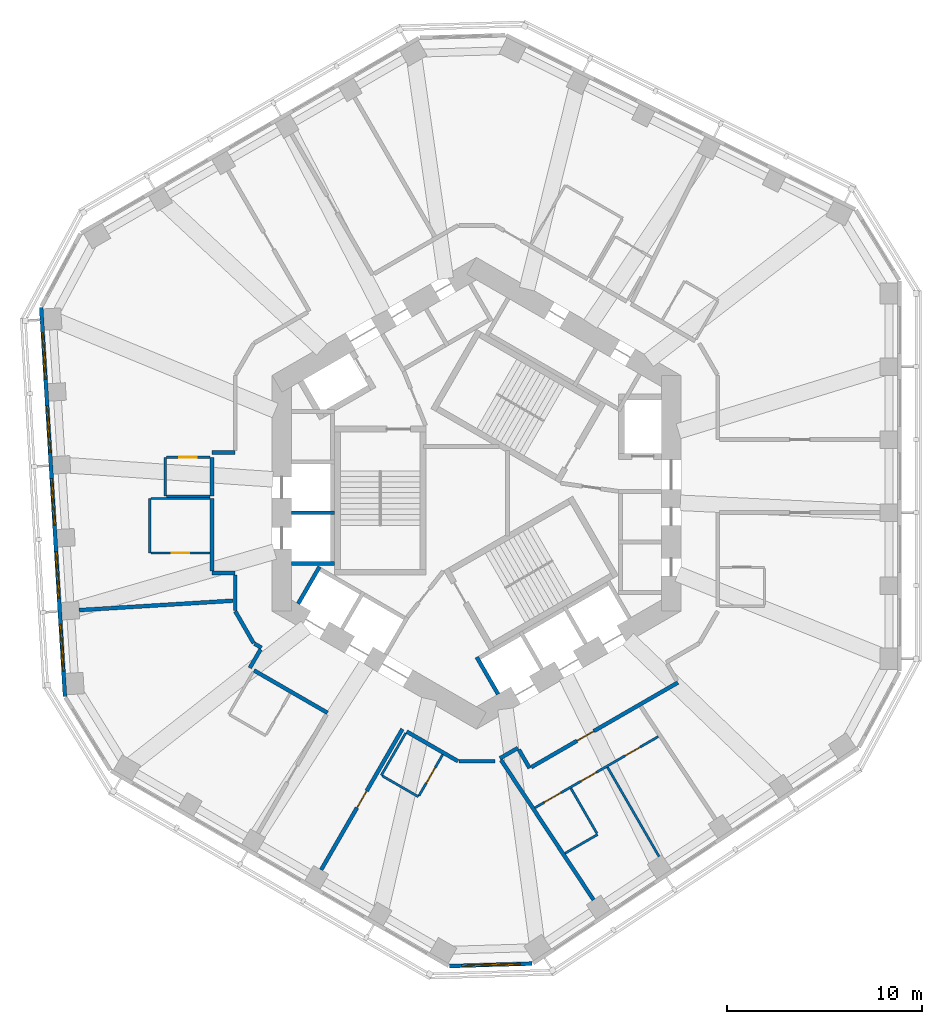
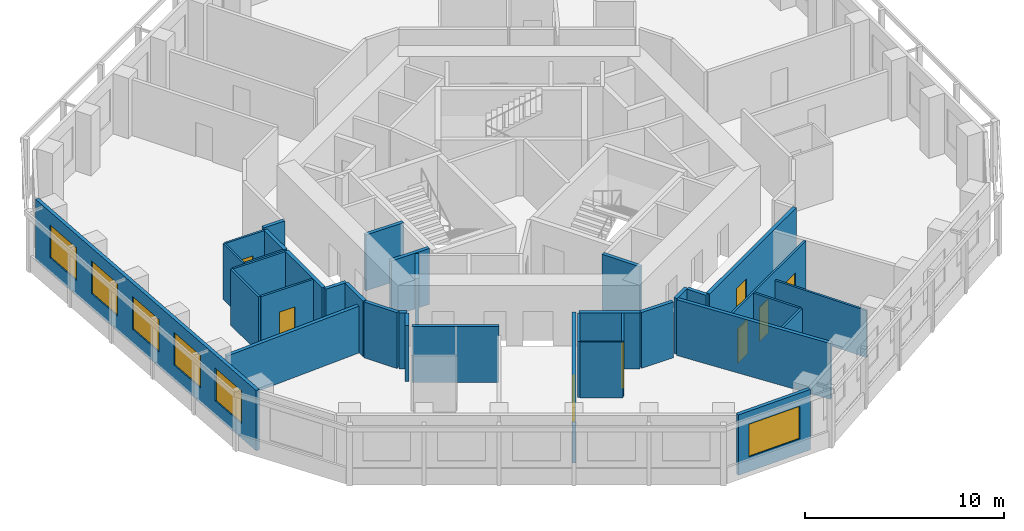
# One storey, part 4 of 11: 36 walls, 8 doors, 6 windows, 14 openings.
"""IFC4 building model written with IfcOpenShell, lengths in metres."""

from ifc_helpers import new_model, si_unit, direction, frame, frame_2d, origin, place, context, subcontext, project, spatial, rectangle, extrude, material, layer, layer_set, type_object, element, fill, save


model = new_model("IFC4")

# Units and contexts
model_context = context("Model", 3, precision=1e-05, world=origin(), true_north=direction((0.0, 1.0)))
body_context = subcontext(model_context, "Body", "Model", "MODEL_VIEW")
ifc_project = project(units=[si_unit("LENGTHUNIT", "METRE"), si_unit("AREAUNIT", "SQUARE_METRE"), si_unit("VOLUMEUNIT", "CUBIC_METRE"), si_unit("PLANEANGLEUNIT", "RADIAN"), si_unit("MASSUNIT", "GRAM", prefix="KILO")], contexts=[model_context])

# Site, building, storey
site_placement = place(None, origin())
site = spatial("IfcSite", under=ifc_project, at=site_placement, CompositionType="ELEMENT")
building_placement = place(site_placement, origin())
building = spatial("IfcBuilding", under=site, at=building_placement, Name="Vanh Sen Convention Tower", CompositionType="ELEMENT")
storey_placement = place(building_placement, frame((0.0, 0.0, 198.39990234375)))
storey = spatial("IfcBuildingStorey", under=building, at=storey_placement, Name="L49", CompositionType="ELEMENT", Elevation=198.39990234375)

# Walls
ifc_material_1 = material(Name="Moisture-resistant gypsum board on steel studs", Category="steel")
ifc_layer_1 = layer(ifc_material_1, 0.1201171875)
ifc_layer_set_1 = layer_set([ifc_layer_1], Name="Moisture-resistant gypsum board on steel studs")
wall_type_1 = type_object("IfcWallType", Name="Bathroom partition 120", PredefinedType="PARTITIONING", material=ifc_layer_set_1)
wall_1_placement = place(storey_placement, frame((-16.801025390625, -3.069091796875, 0.0), z_axis=(0.0, 0.0, 1.0), x_axis=(0.0, 1.0, 0.0)))
element("IfcWall", 1, at=wall_1_placement, inside=storey, type_object=wall_type_1, Name="Bathroom partition 120", PredefinedType="PARTITIONING", context=body_context, shape_type="SweptSolid", body=[
    extrude(rectangle(XDim=2.800048828125, YDim=0.1201171875, at=frame_2d((1.39990234375, 0.0))), origin(), (0.0, 0.0, 1.0), 3.420166015625),
])
wall_2_placement = place(storey_placement, frame((-16.740966796875, -0.26904296875, 0.0), z_axis=(0.0, 0.0, 1.0), x_axis=(1.0, 0.0, 0.0)))
element("IfcWall", 2, at=wall_2_placement, inside=storey, type_object=wall_type_1, Name="Bathroom partition 120", PredefinedType="PARTITIONING", context=body_context, shape_type="SweptSolid", body=[
    extrude(rectangle(XDim=3.0400390625, YDim=0.1201171875, at=frame_2d((1.52001953125, 0.0))), origin(), (0.0, 0.0, 1.0), 3.420166015625),
])
wall_3_placement = place(storey_placement, frame((-16.0009765625, -0.14892578125, 0.0), z_axis=(0.0, 0.0, 1.0), x_axis=(0.0, 1.0, 0.0)))
element("IfcWall", 3, at=wall_3_placement, inside=storey, type_object=wall_type_1, Name="Bathroom partition 120", PredefinedType="PARTITIONING", context=body_context, shape_type="SweptSolid", body=[
    extrude(rectangle(XDim=2.0, YDim=0.1201171875, at=frame_2d((1.0, 0.0))), origin(), (0.0, 0.0, 1.0), 3.420166015625),
])

# Wall, opening, door
wall_4_placement = place(storey_placement, frame((-15.94091796875, 1.85107421875, 0.0), z_axis=(0.0, 0.0, 1.0), x_axis=(1.0, 0.0, 0.0)))
wall_4 = element("IfcWall", 4, at=wall_4_placement, inside=storey, type_object=wall_type_1, Name="Bathroom partition 120", PredefinedType="PARTITIONING", context=body_context, shape_type="SweptSolid", body=[
    extrude(rectangle(XDim=2.239990234375, YDim=0.1201171875, at=frame_2d((1.1201171875, 0.0))), origin(), (0.0, 0.0, 1.0), 3.420166015625),
])
opening_1_placement = place(wall_4_placement, frame((0.669921875, 0.0, 0.0)))
opening_1 = element("IfcOpeningElement", 5, at=opening_1_placement, cuts=wall_4, Name="Opening D49108", PredefinedType="OPENING", context=body_context, shape_type="SweptSolid", body=[
    extrude(rectangle(XDim=0.89990234375, YDim=2.10009765625, at=frame_2d((0.449951171875, 1.050048828125))), frame((0.0, 0.070068359375, 0.0), z_axis=(0.0, -1.0, 0.0), x_axis=(1.0, 0.0, 0.0)), (0.0, 0.0, 1.0), 0.14013671875),
])
ifc_material_2 = material(Name="Laminate door in steel frame", Category="steel")
door_type_1 = type_object("IfcDoorType", Name="Room internal door 900", OperationType="SINGLE_SWING_LEFT", PredefinedType="DOOR", material=ifc_material_2)
door_1_placement = place(opening_1_placement, origin())
door_1 = element("IfcDoor", 6, at=door_1_placement, inside=storey, type_object=door_type_1, Name="Internal room door D49108", OperationType="SINGLE_SWING_LEFT", OverallHeight=2.10009765625, OverallWidth=0.89990234375, PredefinedType="DOOR", context=body_context, shape_type="SweptSolid", body=[
    extrude(rectangle(XDim=0.89990234375, YDim=2.10009765625, at=frame_2d((0.449951171875, 1.050048828125))), frame((0.0, 0.02490234375, 0.0), z_axis=(0.0, -1.0, 0.0), x_axis=(1.0, 0.0, 0.0)), (0.0, 0.0, 1.0), 0.050048828125),
])
fill(opening_1, door_1)

wall_5_placement = place(storey_placement, frame((-13.700927734375, -3.069091796875, 0.0), z_axis=(0.0, 0.0, 1.0), x_axis=(-1.0, 0.0, 0.0)))
wall_5 = element("IfcWall", 7, at=wall_5_placement, inside=storey, type_object=wall_type_1, Name="Bathroom partition 120", PredefinedType="PARTITIONING", context=body_context, shape_type="SweptSolid", body=[
    extrude(rectangle(XDim=3.0400390625, YDim=0.1201171875, at=frame_2d((1.52001953125, 0.0))), origin(), (0.0, 0.0, 1.0), 3.420166015625),
])
opening_2_placement = place(wall_5_placement, frame((1.070068359375, 0.0, 0.0)))
opening_2 = element("IfcOpeningElement", 8, at=opening_2_placement, cuts=wall_5, Name="Opening D49109", PredefinedType="OPENING", context=body_context, shape_type="SweptSolid", body=[
    extrude(rectangle(XDim=0.89990234375, YDim=2.10009765625, at=frame_2d((0.449951171875, 1.050048828125))), frame((0.0, 0.070068359375, 0.0), z_axis=(0.0, -1.0, 0.0), x_axis=(1.0, 0.0, 0.0)), (0.0, 0.0, 1.0), 0.14013671875),
])
door_2_placement = place(opening_2_placement, origin())
door_2 = element("IfcDoor", 9, at=door_2_placement, inside=storey, type_object=door_type_1, Name="Internal room door D49109", OperationType="SINGLE_SWING_LEFT", OverallHeight=2.10009765625, OverallWidth=0.89990234375, PredefinedType="DOOR", context=body_context, shape_type="SweptSolid", body=[
    extrude(rectangle(XDim=0.89990234375, YDim=2.10009765625, at=frame_2d((0.449951171875, 1.050048828125))), frame((0.0, 0.02490234375, 0.0), z_axis=(0.0, -1.0, 0.0), x_axis=(1.0, 0.0, 0.0)), (0.0, 0.0, 1.0), 0.050048828125),
])
fill(opening_2, door_2)

# Walls
wall_6_placement = place(storey_placement, frame((-13.700927734375, -0.14892578125, 0.0), z_axis=(0.0, 0.0, 1.0), x_axis=(-1.0, 0.0, 0.0)))
element("IfcWall", 10, at=wall_6_placement, inside=storey, type_object=wall_type_1, Name="Bathroom partition 120", PredefinedType="PARTITIONING", context=body_context, shape_type="SweptSolid", body=[
    extrude(rectangle(XDim=2.239990234375, YDim=0.1201171875, at=frame_2d((1.1201171875, 0.0))), origin(), (0.0, 0.0, 1.0), 3.420166015625),
])
wall_7_placement = place(storey_placement, frame((-4.89208984375, -14.49609375, 0.0), z_axis=(0.0, 0.0, 1.0), x_axis=(0.500004234368, 0.866022959057, 0.0)))
element("IfcWall", 11, at=wall_7_placement, inside=storey, type_object=wall_type_1, Name="Bathroom partition 120", PredefinedType="PARTITIONING", context=body_context, shape_type="SweptSolid", body=[
    extrude(rectangle(XDim=2.5, YDim=0.1201171875, at=frame_2d((1.25, 0.0))), origin(), (0.0, 0.0, 1.0), 3.420166015625),
])
wall_8_placement = place(storey_placement, frame((-2.98681640625, -15.59619140625, 0.0), z_axis=(0.0, 0.0, 1.0), x_axis=(-0.86600889856, 0.500028586798, 0.0)))
element("IfcWall", 12, at=wall_8_placement, inside=storey, type_object=wall_type_1, Name="Bathroom partition 120", PredefinedType="PARTITIONING", context=body_context, shape_type="SweptSolid", body=[
    extrude(rectangle(XDim=2.139892578125, YDim=0.1201171875, at=frame_2d((1.06982421875, 0.0))), origin(), (0.0, 0.0, 1.0), 3.420166015625),
])

# Wall, opening, door
wall_9_placement = place(storey_placement, frame((-1.73681640625, -13.430908203125, 0.0), z_axis=(0.0, 0.0, 1.0), x_axis=(-0.499959183527, -0.866048967903, 0.0)))
wall_9 = element("IfcWall", 13, at=wall_9_placement, inside=storey, type_object=wall_type_1, Name="Bathroom partition 120", PredefinedType="PARTITIONING", context=body_context, shape_type="SweptSolid", body=[
    extrude(rectangle(XDim=2.440185546875, YDim=0.1201171875, at=frame_2d((1.22021484375, 0.0))), origin(), (0.0, 0.0, 1.0), 3.420166015625),
])
opening_3_placement = place(wall_9_placement, frame((0.77001953125, 0.0, 0.0)))
opening_3 = element("IfcOpeningElement", 14, at=opening_3_placement, cuts=wall_9, Name="Opening D49113", PredefinedType="OPENING", context=body_context, shape_type="SweptSolid", body=[
    extrude(rectangle(XDim=0.89990234375, YDim=2.10009765625, at=frame_2d((0.449951171875, 1.050048828125))), frame((0.0, 0.070068359375, 0.0), z_axis=(0.0, -1.0, 0.0), x_axis=(1.0, 0.0, 0.0)), (0.0, 0.0, 1.0), 0.14013671875),
])
door_3_placement = place(opening_3_placement, origin())
door_3 = element("IfcDoor", 15, at=door_3_placement, inside=storey, type_object=door_type_1, Name="Internal room door D49113", OperationType="SINGLE_SWING_LEFT", OverallHeight=2.10009765625, OverallWidth=0.89990234375, PredefinedType="DOOR", context=body_context, shape_type="SweptSolid", body=[
    extrude(rectangle(XDim=0.89990234375, YDim=2.10009765625, at=frame_2d((0.449951171875, 1.050048828125))), frame((0.0, 0.02490234375, 0.0), z_axis=(0.0, -1.0, 0.0), x_axis=(1.0, 0.0, 0.0)), (0.0, 0.0, 1.0), 0.050048828125),
])
fill(opening_3, door_3)

# Wall, openings, doors
wall_10_placement = place(storey_placement, frame((3.005126953125, -16.1640625, 0.0), z_axis=(0.0, 0.0, 1.0), x_axis=(0.866018452427, 0.500012039911, 0.0)))
wall_10 = element("IfcWall", 16, at=wall_10_placement, inside=storey, type_object=wall_type_1, Name="Bathroom partition 120", PredefinedType="PARTITIONING", context=body_context, shape_type="SweptSolid", body=[
    extrude(rectangle(XDim=7.322021484375, YDim=0.1201171875, at=frame_2d((3.6611328125, 0.0))), origin(), (0.0, 0.0, 1.0), 3.420166015625),
])
opening_4_placement = place(wall_10_placement, frame((0.550048828125, 0.0, 0.0)))
opening_4 = element("IfcOpeningElement", 17, at=opening_4_placement, cuts=wall_10, Name="Opening D49115", PredefinedType="OPENING", context=body_context, shape_type="SweptSolid", body=[
    extrude(rectangle(XDim=1.0, YDim=2.10009765625, at=frame_2d((0.5, 1.050048828125))), frame((0.0, 0.070068359375, 0.0), z_axis=(0.0, -1.0, 0.0), x_axis=(1.0, 0.0, 0.0)), (0.0, 0.0, 1.0), 0.14013671875),
])
opening_5_placement = place(wall_10_placement, frame((2.735595703125, 0.0, 0.0)))
opening_5 = element("IfcOpeningElement", 18, at=opening_5_placement, cuts=wall_10, Name="Opening D49116", PredefinedType="OPENING", context=body_context, shape_type="SweptSolid", body=[
    extrude(rectangle(XDim=0.89990234375, YDim=2.10009765625, at=frame_2d((0.449951171875, 1.050048828125))), frame((0.0, 0.070068359375, 0.0), z_axis=(0.0, -1.0, 0.0), x_axis=(1.0, 0.0, 0.0)), (0.0, 0.0, 1.0), 0.14013671875),
])
opening_6_placement = place(wall_10_placement, frame((5.3466796875, 0.0, 0.0)))
opening_6 = element("IfcOpeningElement", 19, at=opening_6_placement, cuts=wall_10, Name="Opening D49117", PredefinedType="OPENING", context=body_context, shape_type="SweptSolid", body=[
    extrude(rectangle(XDim=0.89990234375, YDim=2.10009765625, at=frame_2d((0.449951171875, 1.050048828125))), frame((0.0, 0.070068359375, 0.0), z_axis=(0.0, -1.0, 0.0), x_axis=(1.0, 0.0, 0.0)), (0.0, 0.0, 1.0), 0.14013671875),
])
door_type_2 = type_object("IfcDoorType", Name="Accessible WC door 1000", OperationType="SINGLE_SWING_LEFT", PredefinedType="DOOR", material=ifc_material_2)
door_4_placement = place(opening_4_placement, origin())
door_4 = element("IfcDoor", 20, at=door_4_placement, inside=storey, type_object=door_type_2, Name="Accessible WC door D49115", OperationType="SINGLE_SWING_LEFT", OverallHeight=2.10009765625, OverallWidth=1.0, PredefinedType="DOOR", context=body_context, shape_type="SweptSolid", body=[
    extrude(rectangle(XDim=1.0, YDim=2.10009765625, at=frame_2d((0.5, 1.050048828125))), frame((0.0, 0.02490234375, 0.0), z_axis=(0.0, -1.0, 0.0), x_axis=(1.0, 0.0, 0.0)), (0.0, 0.0, 1.0), 0.050048828125),
])
fill(opening_4, door_4)
door_5_placement = place(opening_5_placement, origin())
door_5 = element("IfcDoor", 21, at=door_5_placement, inside=storey, type_object=door_type_1, Name="Internal room door D49116", OperationType="SINGLE_SWING_LEFT", OverallHeight=2.10009765625, OverallWidth=0.89990234375, PredefinedType="DOOR", context=body_context, shape_type="SweptSolid", body=[
    extrude(rectangle(XDim=0.89990234375, YDim=2.10009765625, at=frame_2d((0.449951171875, 1.050048828125))), frame((0.0, 0.02490234375, 0.0), z_axis=(0.0, -1.0, 0.0), x_axis=(1.0, 0.0, 0.0)), (0.0, 0.0, 1.0), 0.050048828125),
])
fill(opening_5, door_5)
door_6_placement = place(opening_6_placement, origin())
door_6 = element("IfcDoor", 22, at=door_6_placement, inside=storey, type_object=door_type_1, Name="Internal room door D49117", OperationType="SINGLE_SWING_LEFT", OverallHeight=2.10009765625, OverallWidth=0.89990234375, PredefinedType="DOOR", context=body_context, shape_type="SweptSolid", body=[
    extrude(rectangle(XDim=0.89990234375, YDim=2.10009765625, at=frame_2d((0.449951171875, 1.050048828125))), frame((0.0, 0.02490234375, 0.0), z_axis=(0.0, -1.0, 0.0), x_axis=(1.0, 0.0, 0.0)), (0.0, 0.0, 1.0), 0.050048828125),
])
fill(opening_6, door_6)

# Walls
wall_11_placement = place(storey_placement, frame((4.553466796875, -18.50341796875, 0.0), z_axis=(0.0, 0.0, 1.0), x_axis=(0.865951573249, 0.50012785644, 0.0)))
element("IfcWall", 23, at=wall_11_placement, inside=storey, type_object=wall_type_1, Name="Bathroom partition 120", PredefinedType="PARTITIONING", context=body_context, shape_type="SweptSolid", body=[
    extrude(rectangle(XDim=1.9287109375, YDim=0.1201171875, at=frame_2d((0.96435546875, 0.0))), origin(), (0.0, 0.0, 1.0), 3.420166015625),
])
wall_12_placement = place(storey_placement, frame((6.193603515625, -17.48681640625, 0.0), z_axis=(0.0, 0.0, 1.0), x_axis=(-0.499980071345, 0.866036909293, 0.0)))
element("IfcWall", 24, at=wall_12_placement, inside=storey, type_object=wall_type_1, Name="Bathroom partition 120", PredefinedType="PARTITIONING", context=body_context, shape_type="SweptSolid", body=[
    extrude(rectangle(XDim=2.6796875, YDim=0.1201171875, at=frame_2d((1.33984375, 0.0))), origin(), (0.0, 0.0, 1.0), 3.420166015625),
])
wall_13_placement = place(storey_placement, frame((9.385009765625, -18.671630859375, 0.0), z_axis=(0.0, 0.0, 1.0), x_axis=(-0.500012117035, 0.866018407898, 0.0)))
element("IfcWall", 25, at=wall_13_placement, inside=storey, type_object=wall_type_1, Name="Bathroom partition 120", PredefinedType="PARTITIONING", context=body_context, shape_type="SweptSolid", body=[
    extrude(rectangle(XDim=5.301513671875, YDim=0.1201171875, at=frame_2d((2.65087890625, 0.0))), origin(), (0.0, 0.0, 1.0), 2.8701171875),
])
ifc_material_3 = material(Name="Gypsum board on steel studs with mineral wool", Category="steel")
ifc_layer_2 = layer(ifc_material_3, 0.199951171875)
ifc_layer_set_2 = layer_set([ifc_layer_2], Name="Gypsum board on steel studs with mineral wool")
wall_type_2 = type_object("IfcWallType", Name="Corridor partition wall 200", PredefinedType="PARTITIONING", material=ifc_layer_set_2)
wall_14_placement = place(storey_placement, frame((-13.60107421875, -4.10107421875, 0.0), z_axis=(0.0, 0.0, 1.0), x_axis=(1.0, 0.0, 0.0)))
element("IfcWall", 26, at=wall_14_placement, inside=storey, type_object=wall_type_2, Name="Corridor partition wall 200", PredefinedType="PARTITIONING", context=body_context, shape_type="SweptSolid", body=[
    extrude(rectangle(XDim=1.201171875, YDim=0.199951171875, at=frame_2d((0.6005859375, 0.0))), origin(), (0.0, 0.0, 1.0), 3.420166015625),
])
wall_15_placement = place(storey_placement, frame((-13.60107421875, -0.26904296875, 0.0), z_axis=(0.0, 0.0, 1.0), x_axis=(0.0, -1.0, 0.0)))
element("IfcWall", 27, at=wall_15_placement, inside=storey, type_object=wall_type_2, Name="Corridor partition wall 200", PredefinedType="PARTITIONING", context=body_context, shape_type="SweptSolid", body=[
    extrude(rectangle(XDim=3.73193359375, YDim=0.199951171875, at=frame_2d((1.865966796875, 0.0))), origin(), (0.0, 0.0, 1.0), 3.420166015625),
])
wall_16_placement = place(storey_placement, frame((-13.60107421875, 1.85107421875, 0.0), z_axis=(0.0, 0.0, 1.0), x_axis=(0.0, -1.0, 0.0)))
element("IfcWall", 28, at=wall_16_placement, inside=storey, type_object=wall_type_2, Name="Corridor partition wall 200", PredefinedType="PARTITIONING", context=body_context, shape_type="SweptSolid", body=[
    extrude(rectangle(XDim=2.0, YDim=0.199951171875, at=frame_2d((1.0, 0.0))), origin(), (0.0, 0.0, 1.0), 3.420166015625),
])
wall_17_placement = place(storey_placement, frame((-12.39990234375, -6.062255859375, 0.0), z_axis=(0.0, 0.0, 1.0), x_axis=(0.500022797313, -0.86601224135, 0.0)))
element("IfcWall", 29, at=wall_17_placement, inside=storey, type_object=wall_type_2, Name="Corridor partition wall 200", PredefinedType="PARTITIONING", context=body_context, shape_type="SweptSolid", body=[
    extrude(rectangle(XDim=1.89990234375, YDim=0.199951171875, at=frame_2d((0.949951171875, 0.0))), origin(), (0.0, 0.0, 1.0), 3.420166015625),
])
wall_18_placement = place(storey_placement, frame((-12.39990234375, -4.200927734375, 0.0), z_axis=(0.0, 0.0, 1.0), x_axis=(0.0, -1.0, 0.0)))
element("IfcWall", 30, at=wall_18_placement, inside=storey, type_object=wall_type_2, Name="Corridor partition wall 200", PredefinedType="PARTITIONING", context=body_context, shape_type="SweptSolid", body=[
    extrude(rectangle(XDim=1.8212890625, YDim=0.199951171875, at=frame_2d((0.91064453125, 0.0))), origin(), (0.0, 0.0, 1.0), 3.420166015625),
])
wall_19_placement = place(storey_placement, frame((-12.39990234375, 2.10107421875, 0.0), z_axis=(0.0, 0.0, 1.0), x_axis=(-1.0, 0.0, 0.0)))
element("IfcWall", 31, at=wall_19_placement, inside=storey, type_object=wall_type_2, Name="Corridor partition wall 200", PredefinedType="PARTITIONING", context=body_context, shape_type="SweptSolid", body=[
    extrude(rectangle(XDim=1.201171875, YDim=0.199951171875, at=frame_2d((0.6005859375, 0.0))), origin(), (0.0, 0.0, 1.0), 3.420166015625),
])
wall_20_placement = place(storey_placement, frame((-11.4345703125, -9.103271484375, 0.0), z_axis=(0.0, 0.0, 1.0), x_axis=(0.866007399799, -0.500031182522, 0.0)))
element("IfcWall", 32, at=wall_20_placement, inside=storey, type_object=wall_type_2, Name="Corridor partition wall 200", PredefinedType="PARTITIONING", context=body_context, shape_type="SweptSolid", body=[
    extrude(rectangle(XDim=4.358154296875, YDim=0.199951171875, at=frame_2d((2.17919921875, 0.0))), origin(), (0.0, 0.0, 1.0), 3.420166015625),
])
wall_21_placement = place(storey_placement, frame((-11.415283203125, -7.7275390625, 0.0), z_axis=(0.0, 0.0, 1.0), x_axis=(0.865915281873, -0.500190688257, 0.0)))
element("IfcWall", 33, at=wall_21_placement, inside=storey, type_object=wall_type_2, Name="Corridor partition wall 200", PredefinedType="PARTITIONING", context=body_context, shape_type="SweptSolid", body=[
    extrude(rectangle(XDim=0.421142578125, YDim=0.199951171875, at=frame_2d((0.21044921875, 0.0))), origin(), (0.0, 0.0, 1.0), 3.420166015625),
])
wall_22_placement = place(storey_placement, frame((-11.1005859375, -8.02490234375, 0.0), z_axis=(0.0, 0.0, 1.0), x_axis=(-0.500074377092, -0.865982457891, 0.0)))
element("IfcWall", 34, at=wall_22_placement, inside=storey, type_object=wall_type_2, Name="Corridor partition wall 200", PredefinedType="PARTITIONING", context=body_context, shape_type="SweptSolid", body=[
    extrude(rectangle(XDim=1.100830078125, YDim=0.199951171875, at=frame_2d((0.55029296875, 0.0))), origin(), (0.0, 0.0, 1.0), 3.420166015625),
])

# Wall, opening, door
wall_23_placement = place(storey_placement, frame((-7.983642578125, -19.3505859375, 0.0), z_axis=(0.0, 0.0, 1.0), x_axis=(0.500010139422, 0.866019549707, 0.0)))
wall_23 = element("IfcWall", 35, at=wall_23_placement, inside=storey, type_object=wall_type_2, Name="Corridor partition wall 200", PredefinedType="PARTITIONING", context=body_context, shape_type="SweptSolid", body=[
    extrude(rectangle(XDim=8.349853515625, YDim=0.199951171875, at=frame_2d((4.1748046875, 0.0))), origin(), (0.0, 0.0, 1.0), 3.420166015625),
])
opening_7_placement = place(wall_23_placement, frame((3.675048828125, 0.0, 0.0)))
opening_7 = element("IfcOpeningElement", 36, at=opening_7_placement, cuts=wall_23, Name="Opening D49112", PredefinedType="OPENING", context=body_context, shape_type="SweptSolid", body=[
    extrude(rectangle(XDim=1.0, YDim=2.10009765625, at=frame_2d((0.5, 1.050048828125))), frame((0.0, 0.10986328125, 0.0), z_axis=(0.0, -1.0, 0.0), x_axis=(1.0, 0.0, 0.0)), (0.0, 0.0, 1.0), 0.219970703125),
])
ifc_material_4 = material(Name="Glazed fire door in steel frame", Category="steel")
door_type_3 = type_object("IfcDoorType", Name="Tenant entrance door 1000", OperationType="SINGLE_SWING_LEFT", PredefinedType="DOOR", material=ifc_material_4)
door_7_placement = place(opening_7_placement, origin())
door_7 = element("IfcDoor", 37, at=door_7_placement, inside=storey, type_object=door_type_3, Name="Tenant suite entrance door D49112", OperationType="SINGLE_SWING_LEFT", OverallHeight=2.10009765625, OverallWidth=1.0, PredefinedType="DOOR", context=body_context, shape_type="SweptSolid", body=[
    extrude(rectangle(XDim=1.0, YDim=2.10009765625, at=frame_2d((0.5, 1.050048828125))), frame((0.0, 0.02490234375, 0.0), z_axis=(0.0, -1.0, 0.0), x_axis=(1.0, 0.0, 0.0)), (0.0, 0.0, 1.0), 0.050048828125),
])
fill(opening_7, door_7)

# Walls
wall_24_placement = place(storey_placement, frame((-3.592041015625, -12.244384765625, 0.0), z_axis=(0.0, 0.0, 1.0), x_axis=(0.866028335764, -0.499994921628, 0.0)))
element("IfcWall", 38, at=wall_24_placement, inside=storey, type_object=wall_type_2, Name="Corridor partition wall 200", PredefinedType="PARTITIONING", context=body_context, shape_type="SweptSolid", body=[
    extrude(rectangle(XDim=3.05078125, YDim=0.199951171875, at=frame_2d((1.525390625, 0.0))), origin(), (0.0, 0.0, 1.0), 3.420166015625),
])
wall_25_placement = place(storey_placement, frame((-0.909912109375, -13.769775390625, 0.0), z_axis=(0.0, 0.0, 1.0), x_axis=(1.0, 0.0, 0.0)))
element("IfcWall", 39, at=wall_25_placement, inside=storey, type_object=wall_type_2, Name="Corridor partition wall 200", PredefinedType="PARTITIONING", context=body_context, shape_type="SweptSolid", body=[
    extrude(rectangle(XDim=1.85986328125, YDim=0.199951171875, at=frame_2d((0.929931640625, 0.0))), origin(), (0.0, 0.0, 1.0), 3.420166015625),
])
wall_26_placement = place(storey_placement, frame((1.20361328125, -13.623291015625, 0.0), z_axis=(0.0, 0.0, 1.0), x_axis=(0.866040989419, 0.499973003918, 0.0)))
element("IfcWall", 40, at=wall_26_placement, inside=storey, type_object=wall_type_2, Name="Corridor partition wall 200", PredefinedType="PARTITIONING", context=body_context, shape_type="SweptSolid", body=[
    extrude(rectangle(XDim=1.068359375, YDim=0.199951171875, at=frame_2d((0.5341796875, 0.0))), origin(), (0.0, 0.0, 1.0), 3.420166015625),
])
wall_27_placement = place(storey_placement, frame((2.1787109375, -13.17578125, 0.0), z_axis=(0.0, 0.0, 1.0), x_axis=(0.499978356969, -0.866037899034, 0.0)))
element("IfcWall", 41, at=wall_27_placement, inside=storey, type_object=wall_type_2, Name="Corridor partition wall 200", PredefinedType="PARTITIONING", context=body_context, shape_type="SweptSolid", body=[
    extrude(rectangle(XDim=1.10107421875, YDim=0.199951171875, at=frame_2d((0.550537109375, 0.0))), origin(), (0.0, 0.0, 1.0), 3.420166015625),
])

# Wall, opening, door
wall_28_placement = place(storey_placement, frame((2.81591796875, -14.079345703125, 0.0), z_axis=(0.0, 0.0, 1.0), x_axis=(0.866021128829, 0.500007404367, 0.0)))
wall_28 = element("IfcWall", 42, at=wall_28_placement, inside=storey, type_object=wall_type_2, Name="Corridor partition wall 200", PredefinedType="PARTITIONING", context=body_context, shape_type="SweptSolid", body=[
    extrude(rectangle(XDim=8.701904296875, YDim=0.199951171875, at=frame_2d((4.35107421875, 0.0))), origin(), (0.0, 0.0, 1.0), 3.420166015625),
])
opening_8_placement = place(wall_28_placement, frame((2.7138671875, 0.0, 0.0)))
opening_8 = element("IfcOpeningElement", 43, at=opening_8_placement, cuts=wall_28, Name="Opening D49114", PredefinedType="OPENING", context=body_context, shape_type="SweptSolid", body=[
    extrude(rectangle(XDim=1.0, YDim=2.10009765625, at=frame_2d((0.5, 1.050048828125))), frame((0.0, 0.10986328125, 0.0), z_axis=(0.0, -1.0, 0.0), x_axis=(1.0, 0.0, 0.0)), (0.0, 0.0, 1.0), 0.219970703125),
])
ifc_material_5 = material(Name="Timber fire door in steel frame", Category="steel")
door_type_4 = type_object("IfcDoorType", Name="Floor room door 1000", OperationType="SINGLE_SWING_LEFT", PredefinedType="DOOR", material=ifc_material_5)
door_8_placement = place(opening_8_placement, origin())
door_8 = element("IfcDoor", 44, at=door_8_placement, inside=storey, type_object=door_type_4, Name="Meeting and amenity room door D49114", OperationType="SINGLE_SWING_LEFT", OverallHeight=2.10009765625, OverallWidth=1.0, PredefinedType="DOOR", context=body_context, shape_type="SweptSolid", body=[
    extrude(rectangle(XDim=1.0, YDim=2.10009765625, at=frame_2d((0.5, 1.050048828125))), frame((0.0, 0.02490234375, 0.0), z_axis=(0.0, -1.0, 0.0), x_axis=(1.0, 0.0, 0.0)), (0.0, 0.0, 1.0), 0.050048828125),
])
fill(opening_8, door_8)

# Wall, openings, windows
ifc_material_6 = material(Name="Insulated lightweight infill wall")
ifc_layer_3 = layer(ifc_material_6, 0.199951171875)
ifc_layer_set_3 = layer_set([ifc_layer_3], Name="Insulated lightweight infill wall")
wall_type_3 = type_object("IfcWallType", Name="External wall 200", PredefinedType="STANDARD", material=ifc_layer_set_3)
wall_29_placement = place(storey_placement, frame((-22.375, 9.55712890625, 0.0), z_axis=(0.0, 0.0, 1.0), x_axis=(0.061036015339, -0.998135564356, 0.0)))
wall_29 = element("IfcWall", 45, at=wall_29_placement, inside=storey, type_object=wall_type_3, Name="External wall W L49", PredefinedType="STANDARD", context=body_context, shape_type="SweptSolid", body=[
    extrude(rectangle(XDim=20.043701171875, YDim=0.199951171875, at=frame_2d((10.02197265625, 0.0))), origin(), (0.0, 0.0, 1.0), 3.7001953125),
])
opening_9_placement = place(wall_29_placement, frame((1.312744140625, 0.0, 0.89990234375)))
opening_9 = element("IfcOpeningElement", 46, at=opening_9_placement, cuts=wall_29, Name="Opening WO1-W1", PredefinedType="OPENING", context=body_context, shape_type="SweptSolid", body=[
    extrude(rectangle(XDim=2.39990234375, YDim=2.0, at=frame_2d((1.199951171875, 1.0))), frame((0.0, 0.10986328125, 0.0), z_axis=(0.0, -1.0, 0.0), x_axis=(1.0, 0.0, 0.0)), (0.0, 0.0, 1.0), 0.219970703125),
])
opening_10_placement = place(wall_29_placement, frame((5.06689453125, 0.0, 0.89990234375)))
opening_10 = element("IfcOpeningElement", 47, at=opening_10_placement, cuts=wall_29, Name="Opening WO1-W2", PredefinedType="OPENING", context=body_context, shape_type="SweptSolid", body=[
    extrude(rectangle(XDim=2.39990234375, YDim=2.0, at=frame_2d((1.199951171875, 1.0))), frame((0.0, 0.10986328125, 0.0), z_axis=(0.0, -1.0, 0.0), x_axis=(1.0, 0.0, 0.0)), (0.0, 0.0, 1.0), 0.219970703125),
])
opening_11_placement = place(wall_29_placement, frame((8.821044921875, 0.0, 0.89990234375)))
opening_11 = element("IfcOpeningElement", 48, at=opening_11_placement, cuts=wall_29, Name="Opening WO1-W3", PredefinedType="OPENING", context=body_context, shape_type="SweptSolid", body=[
    extrude(rectangle(XDim=2.39990234375, YDim=2.0, at=frame_2d((1.199951171875, 1.0))), frame((0.0, 0.10986328125, 0.0), z_axis=(0.0, -1.0, 0.0), x_axis=(1.0, 0.0, 0.0)), (0.0, 0.0, 1.0), 0.219970703125),
])
opening_12_placement = place(wall_29_placement, frame((12.5751953125, 0.0, 0.89990234375)))
opening_12 = element("IfcOpeningElement", 49, at=opening_12_placement, cuts=wall_29, Name="Opening WO1-W4", PredefinedType="OPENING", context=body_context, shape_type="SweptSolid", body=[
    extrude(rectangle(XDim=2.39990234375, YDim=2.0, at=frame_2d((1.199951171875, 1.0))), frame((0.0, 0.10986328125, 0.0), z_axis=(0.0, -1.0, 0.0), x_axis=(1.0, 0.0, 0.0)), (0.0, 0.0, 1.0), 0.219970703125),
])
opening_13_placement = place(wall_29_placement, frame((16.329345703125, 0.0, 0.89990234375)))
opening_13 = element("IfcOpeningElement", 50, at=opening_13_placement, cuts=wall_29, Name="Opening WO1-W5", PredefinedType="OPENING", context=body_context, shape_type="SweptSolid", body=[
    extrude(rectangle(XDim=2.39990234375, YDim=2.0, at=frame_2d((1.199951171875, 1.0))), frame((0.0, 0.10986328125, 0.0), z_axis=(0.0, -1.0, 0.0), x_axis=(1.0, 0.0, 0.0)), (0.0, 0.0, 1.0), 0.219970703125),
])
ifc_material_7 = material(Name="Aluminium frame with clear low-emissivity glass", Category="aluminium")
window_type_1 = type_object("IfcWindowType", Name="Office window 2400 x 2000", PartitioningType="SINGLE_PANEL", PredefinedType="WINDOW", material=ifc_material_7)
window_1_placement = place(opening_9_placement, origin())
window_1 = element("IfcWindow", 51, at=window_1_placement, inside=storey, type_object=window_type_1, Name="Window WO1-W1", OverallHeight=2.0, OverallWidth=2.39990234375, PartitioningType="SINGLE_PANEL", PredefinedType="WINDOW", context=body_context, shape_type="SweptSolid", body=[
    extrude(rectangle(XDim=2.39990234375, YDim=2.0, at=frame_2d((1.199951171875, 1.0))), frame((0.0, 0.030029296875, 0.0), z_axis=(0.0, -1.0, 0.0), x_axis=(1.0, 0.0, 0.0)), (0.0, 0.0, 1.0), 0.06005859375),
])
fill(opening_9, window_1)
window_2_placement = place(opening_10_placement, origin())
window_2 = element("IfcWindow", 52, at=window_2_placement, inside=storey, type_object=window_type_1, Name="Window WO1-W2", OverallHeight=2.0, OverallWidth=2.39990234375, PartitioningType="SINGLE_PANEL", PredefinedType="WINDOW", context=body_context, shape_type="SweptSolid", body=[
    extrude(rectangle(XDim=2.39990234375, YDim=2.0, at=frame_2d((1.199951171875, 1.0))), frame((0.0, 0.030029296875, 0.0), z_axis=(0.0, -1.0, 0.0), x_axis=(1.0, 0.0, 0.0)), (0.0, 0.0, 1.0), 0.06005859375),
])
fill(opening_10, window_2)
window_3_placement = place(opening_11_placement, origin())
window_3 = element("IfcWindow", 53, at=window_3_placement, inside=storey, type_object=window_type_1, Name="Window WO1-W3", OverallHeight=2.0, OverallWidth=2.39990234375, PartitioningType="SINGLE_PANEL", PredefinedType="WINDOW", context=body_context, shape_type="SweptSolid", body=[
    extrude(rectangle(XDim=2.39990234375, YDim=2.0, at=frame_2d((1.199951171875, 1.0))), frame((0.0, 0.030029296875, 0.0), z_axis=(0.0, -1.0, 0.0), x_axis=(1.0, 0.0, 0.0)), (0.0, 0.0, 1.0), 0.06005859375),
])
fill(opening_11, window_3)
window_4_placement = place(opening_12_placement, origin())
window_4 = element("IfcWindow", 54, at=window_4_placement, inside=storey, type_object=window_type_1, Name="Window WO1-W4", OverallHeight=2.0, OverallWidth=2.39990234375, PartitioningType="SINGLE_PANEL", PredefinedType="WINDOW", context=body_context, shape_type="SweptSolid", body=[
    extrude(rectangle(XDim=2.39990234375, YDim=2.0, at=frame_2d((1.199951171875, 1.0))), frame((0.0, 0.030029296875, 0.0), z_axis=(0.0, -1.0, 0.0), x_axis=(1.0, 0.0, 0.0)), (0.0, 0.0, 1.0), 0.06005859375),
])
fill(opening_12, window_4)
window_5_placement = place(opening_13_placement, origin())
window_5 = element("IfcWindow", 55, at=window_5_placement, inside=storey, type_object=window_type_1, Name="Window WO1-W5", OverallHeight=2.0, OverallWidth=2.39990234375, PartitioningType="SINGLE_PANEL", PredefinedType="WINDOW", context=body_context, shape_type="SweptSolid", body=[
    extrude(rectangle(XDim=2.39990234375, YDim=2.0, at=frame_2d((1.199951171875, 1.0))), frame((0.0, 0.030029296875, 0.0), z_axis=(0.0, -1.0, 0.0), x_axis=(1.0, 0.0, 0.0)), (0.0, 0.0, 1.0), 0.06005859375),
])
fill(opening_13, window_5)

# Wall, opening, window
wall_30_placement = place(storey_placement, frame((-1.377685546875, -24.302001953125, 0.0), z_axis=(0.0, 0.0, 1.0), x_axis=(0.999533857267, 0.030529791629, 0.0)))
wall_30 = element("IfcWall", 56, at=wall_30_placement, inside=storey, type_object=wall_type_3, Name="External wall CH5 L49", PredefinedType="STANDARD", context=body_context, shape_type="SweptSolid", body=[
    extrude(rectangle(XDim=4.23828125, YDim=0.199951171875, at=frame_2d((2.119140625, 0.0))), origin(), (0.0, 0.0, 1.0), 3.7001953125),
])
opening_14_placement = place(wall_30_placement, frame((0.619140625, 0.0, 0.89990234375)))
opening_14 = element("IfcOpeningElement", 57, at=opening_14_placement, cuts=wall_30, Name="Opening WO2-CH51", PredefinedType="OPENING", context=body_context, shape_type="SweptSolid", body=[
    extrude(rectangle(XDim=3.0, YDim=2.0, at=frame_2d((1.5, 1.0))), frame((0.0, 0.10986328125, 0.0), z_axis=(0.0, -1.0, 0.0), x_axis=(1.0, 0.0, 0.0)), (0.0, 0.0, 1.0), 0.219970703125),
])
window_type_2 = type_object("IfcWindowType", Name="Office window 3000 x 2000", PartitioningType="SINGLE_PANEL", PredefinedType="WINDOW", material=ifc_material_7)
window_6_placement = place(opening_14_placement, origin())
window_6 = element("IfcWindow", 58, at=window_6_placement, inside=storey, type_object=window_type_2, Name="Window WO2-CH51", OverallHeight=2.0, OverallWidth=3.0, PartitioningType="SINGLE_PANEL", PredefinedType="WINDOW", context=body_context, shape_type="SweptSolid", body=[
    extrude(rectangle(XDim=3.0, YDim=2.0, at=frame_2d((1.5, 1.0))), frame((0.0, 0.030029296875, 0.0), z_axis=(0.0, -1.0, 0.0), x_axis=(1.0, 0.0, 0.0)), (0.0, 0.0, 1.0), 0.06005859375),
])
fill(opening_14, window_6)

# Walls
ifc_material_8 = material(Name="Concrete C40/50", Category="concrete")
ifc_layer_4 = layer(ifc_material_8, 0.199951171875)
ifc_layer_set_4 = layer_set([ifc_layer_4], Name="Concrete C40/50")
wall_type_4 = type_object("IfcWallType", Name="Lift shaft wall 200", PredefinedType="PARTITIONING", material=ifc_layer_set_4)
for number, where, z_axis, x_axis, name in (
    (59, (-7.300048828125, -1.0, 0.0), (0.0, 0.0, 1.0), (-1.0, 0.0, 0.0), "Lift shaft wall L49"),
    (60, (-7.300048828125, -3.60009765625, 0.0), (0.0, 0.0, 1.0), (-1.0, 0.0, 0.0), "Lift shaft wall L49"),
    (61, (-8.066650390625, -3.77197265625, 0.0), (0.0, 0.0, 1.0), (-0.50002983664, -0.866008176907, 0.0), "Lift shaft wall L49"),
    (62, (0.0126953125, -8.422119140625, 0.0), (0.0, 0.0, 1.0), (0.500077893725, -0.86598042715, 0.0), "Lift shaft wall L49"),
):
    element("IfcWall", number, at=place(storey_placement, frame(where, z_axis=z_axis, x_axis=x_axis)), inside=storey, type_object=wall_type_4, Name=name, PredefinedType="PARTITIONING", context=body_context, shape_type="SweptSolid", body=[
        extrude(rectangle(XDim=2.199951171875, YDim=0.199951171875, at=frame_2d((1.10009765625, 0.0))), origin(), (0.0, 0.0, 1.0), 3.420166015625),
    ])
ifc_layer_5 = layer(ifc_material_3, 0.199951171875)
ifc_layer_set_5 = layer_set([ifc_layer_5], Name="Gypsum board on steel studs with mineral wool")
wall_type_5 = type_object("IfcWallType", Name="Tenant suite wall 200", PredefinedType="PARTITIONING", material=ifc_layer_set_5)
wall_31_placement = place(storey_placement, frame((-20.42138671875, -6.0048828125, 0.0), z_axis=(0.0, 0.0, 1.0), x_axis=(0.998134865741, 0.061047438866, 0.0)))
element("IfcWall", 63, at=wall_31_placement, inside=storey, type_object=wall_type_5, Name="Tenant suite wall 200", PredefinedType="PARTITIONING", context=body_context, shape_type="SweptSolid", body=[
    extrude(rectangle(XDim=7.926513671875, YDim=0.199951171875, at=frame_2d((3.96337890625, 0.0))), origin(), (0.0, 0.0, 1.0), 2.8701171875),
])
wall_32_placement = place(storey_placement, frame((6.01953125, -20.899169921875, 0.0), z_axis=(0.0, 0.0, 1.0), x_axis=(-0.551943990108, 0.833881185651, 0.0)))
element("IfcWall", 64, at=wall_32_placement, inside=storey, type_object=wall_type_5, Name="Tenant suite wall 200", PredefinedType="PARTITIONING", context=body_context, shape_type="SweptSolid", body=[
    extrude(rectangle(XDim=8.615234375, YDim=0.199951171875, at=frame_2d((4.3076171875, 0.0))), origin(), (0.0, 0.0, 1.0), 3.420166015625),
])

save(model, "model.ifc")
